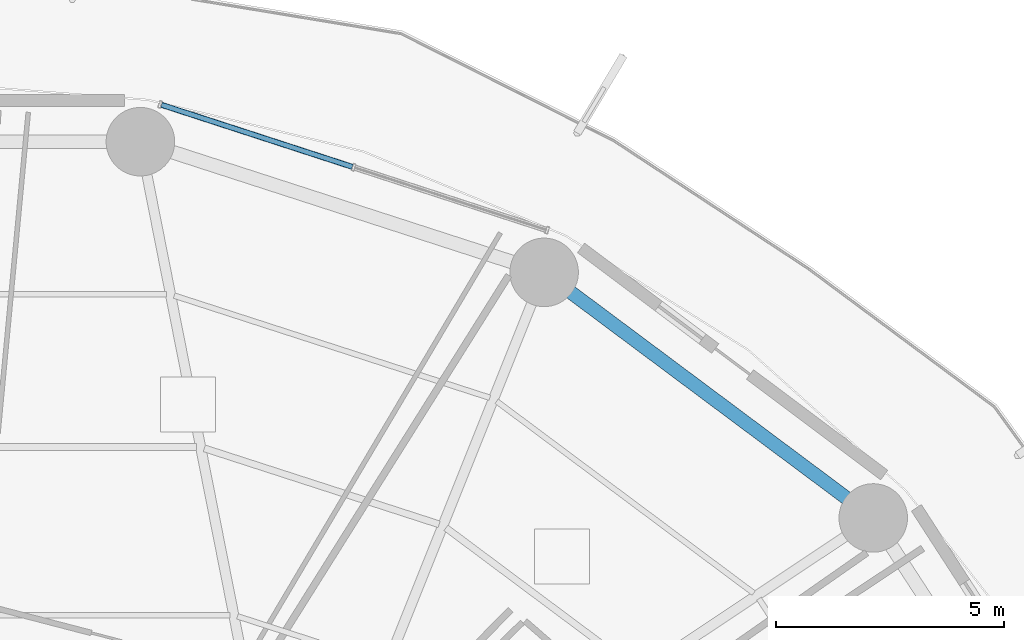
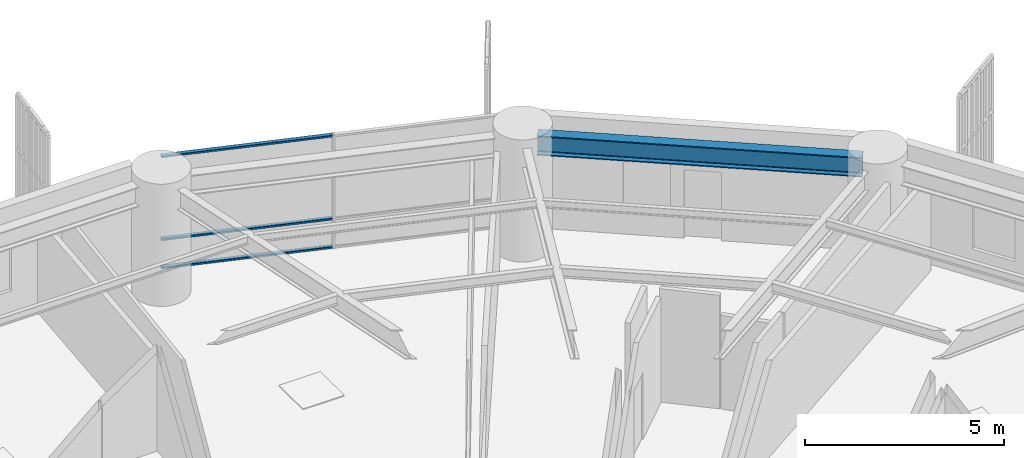
# One storey, part 21 of 34: 3 members, 1 beam, 1 element without a shape of its own.
"""IFC4 building model written with IfcOpenShell, lengths in metres."""

from ifc_helpers import new_model, si_unit, direction, frame, origin, origin_2d, place, context, subcontext, project, spatial, hollow_rectangle, i_section, extrude, material, layer, layer_set, material_profile, profile_set, type_object, element, aggregate, save


model = new_model("IFC4")

# Units and contexts
model_context = context("Model", 3, precision=1e-05, world=origin(), true_north=direction((0.0, 1.0)))
body_context = subcontext(model_context, "Body", "Model", "MODEL_VIEW")
ifc_project = project(units=[si_unit("LENGTHUNIT", "METRE"), si_unit("AREAUNIT", "SQUARE_METRE"), si_unit("VOLUMEUNIT", "CUBIC_METRE"), si_unit("PLANEANGLEUNIT", "RADIAN"), si_unit("MASSUNIT", "GRAM", prefix="KILO")], contexts=[model_context])

# Site, building, storey
site_placement = place(None, origin())
site = spatial("IfcSite", under=ifc_project, at=site_placement, CompositionType="ELEMENT")
building_placement = place(site_placement, origin())
building = spatial("IfcBuilding", under=site, at=building_placement, Name="Kelanora Arch Commons", CompositionType="ELEMENT")
storey_placement = place(building_placement, frame((0.0, 0.0, 33.75)))
storey = spatial("IfcBuildingStorey", under=building, at=storey_placement, Name="L08", CompositionType="ELEMENT", Elevation=33.75)

# Beam
ifc_material_1 = material(Name="Steel S355", Category="steel")
ifc_material_profile_1 = material_profile(ifc_material_1, i_section(OverallWidth=0.300048828125, OverallDepth=0.60009765625, WebThickness=0.015380859375, FlangeThickness=0.030029296875, FilletRadius=0.027099609375, at=origin_2d()), Name="HEB600")
ifc_profile_set_1 = profile_set([ifc_material_profile_1], Name="Steel S355")
beam_type = type_object("IfcBeamType", Name="BM-SPN-Z1", PredefinedType="SPANDREL", material=ifc_profile_set_1)
beam_placement = place(storey_placement, frame((94.43994140625, 73.70556640625, 3.18994140625), z_axis=(-0.801482139897, 0.598018711601, 0.0), x_axis=(-0.598018711601, -0.801482139897, 0.0)))
element("IfcBeam", 1, at=beam_placement, inside=storey, type_object=beam_type, Name="Perimeter Spandrel Beam BS-04 L08", PredefinedType="SPANDREL", context=body_context, shape_type="SweptSolid", body=[
    extrude(i_section(OverallWidth=0.300048828125, OverallDepth=0.60009765625, WebThickness=0.015380859375, FlangeThickness=0.030029296875, FilletRadius=0.027099609375, at=origin_2d()), origin(), (0.0, 0.0, 1.0), 8.22900390625),
])

# Curtain wall, members
ifc_material_2 = material(Name="Terracotta ceramic-fritted low-E glass and aluminium", Category="masonry")
ifc_layer = layer(ifc_material_2, 0.159912109375)
ifc_layer_set = layer_set([ifc_layer], Name="Terracotta ceramic-fritted low-E glass and aluminium")
curtain_wall_type = type_object("IfcCurtainWallType", Name="CW-SYS-01", PredefinedType="NOTDEFINED", material=ifc_layer_set)
curtain_wall_placement = place(storey_placement, origin())
curtain_wall = element("IfcCurtainWall", 2, at=curtain_wall_placement, inside=storey, type_object=curtain_wall_type, Name="Unitised Curtain Wall L08-B03", PredefinedType="NOTDEFINED")
ifc_material_3 = material(Name="Powder-coated aluminium terracotta", Category="masonry")
ifc_material_profile_2 = material_profile(ifc_material_3, hollow_rectangle(XDim=0.1201171875, YDim=0.06005859375, WallThickness=0.0048828125, InnerFilletRadius=0.0048828125, OuterFilletRadius=0.010009765625, at=origin_2d()), Name="CWT120x60")
ifc_profile_set_2 = profile_set([ifc_material_profile_2], Name="Powder-coated aluminium terracotta")
member_type = type_object("IfcMemberType", Name="CWT-STD", PredefinedType="USERDEFINED", material=ifc_profile_set_2)
member_1_placement = place(storey_placement, frame((83.342529296875, 81.1640625, 0.030029296875), z_axis=(-0.951028761285, 0.309102402464, 0.0), x_axis=(-0.309102402464, -0.951028761285, 0.0)))
member_1 = element("IfcMember", 3, at=member_1_placement, type_object=member_type, Name="CW-01 transom 2.1", ObjectType="TRANSOM", PredefinedType="USERDEFINED", context=body_context, shape_type="SweptSolid", body=[
    extrude(hollow_rectangle(XDim=0.1201171875, YDim=0.06005859375, WallThickness=0.0048828125, InnerFilletRadius=0.0048828125, OuterFilletRadius=0.010009765625, at=origin_2d()), origin(), (0.0, 0.0, 1.0), 4.394775390625),
])
member_2_placement = place(storey_placement, frame((83.342529296875, 81.1640625, 0.89990234375), z_axis=(-0.951028761285, 0.309102402464, 0.0), x_axis=(-0.309102402464, -0.951028761285, 0.0)))
member_2 = element("IfcMember", 4, at=member_2_placement, type_object=member_type, Name="CW-01 transom 2.2", ObjectType="TRANSOM", PredefinedType="USERDEFINED", context=body_context, shape_type="SweptSolid", body=[
    extrude(hollow_rectangle(XDim=0.1201171875, YDim=0.06005859375, WallThickness=0.0048828125, InnerFilletRadius=0.0048828125, OuterFilletRadius=0.010009765625, at=origin_2d()), origin(), (0.0, 0.0, 1.0), 4.394775390625),
])
member_3_placement = place(storey_placement, frame((83.342529296875, 81.1640625, 3.445068359375), z_axis=(-0.951028761285, 0.309102402464, 0.0), x_axis=(-0.309102402464, -0.951028761285, 0.0)))
member_3 = element("IfcMember", 5, at=member_3_placement, type_object=member_type, Name="CW-01 transom 2.3", ObjectType="TRANSOM", PredefinedType="USERDEFINED", context=body_context, shape_type="SweptSolid", body=[
    extrude(hollow_rectangle(XDim=0.1201171875, YDim=0.06005859375, WallThickness=0.0048828125, InnerFilletRadius=0.0048828125, OuterFilletRadius=0.010009765625, at=origin_2d()), origin(), (0.0, 0.0, 1.0), 4.394775390625),
])
aggregate(curtain_wall, [member_1, member_2, member_3])

save(model, "model.ifc")
